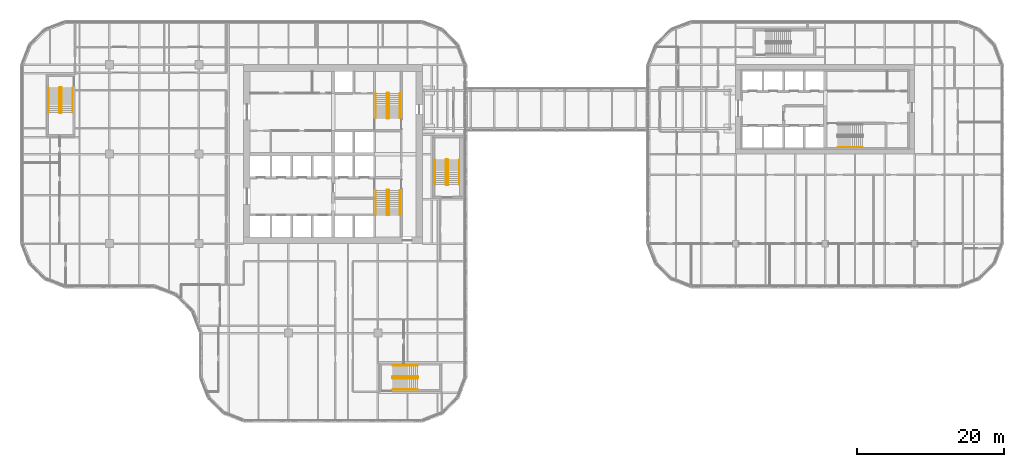
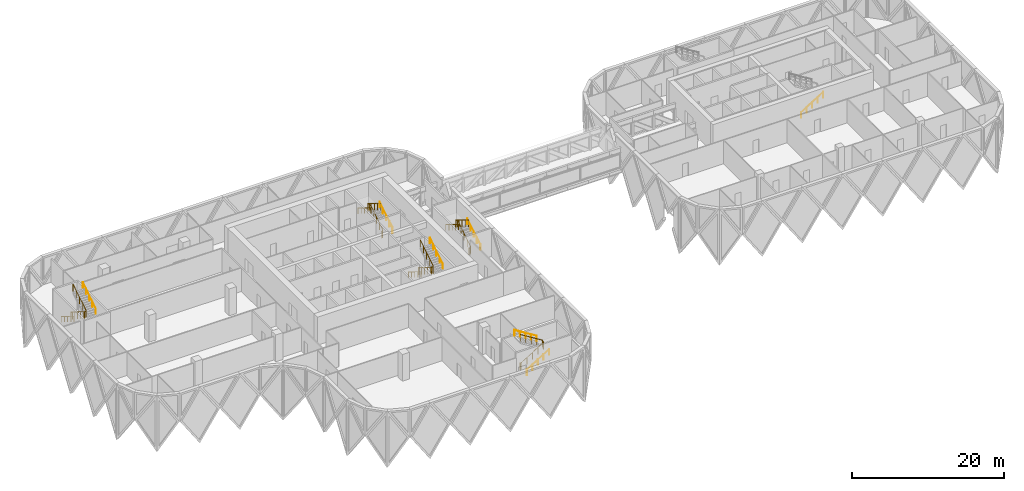
# One storey, part 29 of 30: 16 railings.
"""IFC4 building model written with IfcOpenShell, lengths in metres."""

from ifc_helpers import new_model, si_unit, direction, frame, origin, origin_2d, place, context, subcontext, project, spatial, circle, extrude, material, type_object, element, save


model = new_model("IFC4")

# Units and contexts
model_context = context("Model", 3, precision=1e-05, world=origin(), true_north=direction((0.0, 1.0)))
body_context = subcontext(model_context, "Body", "Model", "MODEL_VIEW")
ifc_project = project(units=[si_unit("LENGTHUNIT", "METRE"), si_unit("AREAUNIT", "SQUARE_METRE"), si_unit("VOLUMEUNIT", "CUBIC_METRE"), si_unit("PLANEANGLEUNIT", "RADIAN"), si_unit("MASSUNIT", "GRAM", prefix="KILO")], contexts=[model_context])

# Site, building, storey
site_placement = place(None, origin())
site = spatial("IfcSite", under=ifc_project, at=site_placement, CompositionType="ELEMENT")
building_placement = place(site_placement, origin())
building = spatial("IfcBuilding", under=site, at=building_placement, Name="Tessera Gate Towers", CompositionType="ELEMENT")
storey_placement = place(building_placement, frame((0.0, 0.0, 21.300048828125)))
storey = spatial("IfcBuildingStorey", under=building, at=storey_placement, Name="L04", CompositionType="ELEMENT", Elevation=21.300048828125)

# Railings
ifc_material_1 = material(Name="Steel 350W", Category="steel")
railing_type_1 = type_object("IfcRailingType", Name="STAIR GUARD 1100", PredefinedType="GUARDRAIL", material=ifc_material_1)
railing_1_placement = place(storey_placement, frame((50.27490234375, 31.72509765625, 0.0)))
element("IfcRailing", 1, at=railing_1_placement, inside=storey, type_object=railing_type_1, Name="L04 ST1 stair guard 1", PredefinedType="GUARDRAIL", context=body_context, shape_type="SweptSolid", body=[
    extrude(circle(Radius=0.02392578125, at=origin_2d()), frame((0.0, 0.0, 1.076171875), z_axis=(-1.0, 0.0, 0.0), x_axis=(0.0, -1.0, 0.0)), (0.0, 0.0, 1.0), 0.199951171875),
    extrude(circle(Radius=0.02392578125, at=origin_2d()), frame((-0.199951171875, 0.0, 1.076171875), z_axis=(-0.267629722418, -0.267629722418, 0.925607186314), x_axis=(0.707106781187, -0.707106781187, 0.0)), (0.0, 0.0, 1.0), 0.18701171875),
    extrude(circle(Radius=0.02392578125, at=origin_2d()), frame((-0.25, -0.050048828125, 1.2490234375), z_axis=(0.0, -0.850623216509, 0.525775754039), x_axis=(1.0, 0.0, 0.0)), (0.0, 0.0, 1.0), 3.9501953125),
    extrude(circle(Radius=0.02392578125, at=origin_2d()), frame((-0.25, -3.41015625, 3.326171875), z_axis=(0.707106781187, -0.707106781187, 0.0), x_axis=(0.707106781187, 0.707106781187, 0.0)), (0.0, 0.0, 1.0), 0.07080078125),
    extrude(circle(Radius=0.02392578125, at=origin_2d()), frame((-0.199951171875, -3.460205078125, 3.326171875), z_axis=(1.0, 0.0, 0.0), x_axis=(0.0, 1.0, 0.0)), (0.0, 0.0, 1.0), 0.199951171875),
    extrude(circle(Radius=0.02392578125, at=origin_2d()), frame((0.0, -3.460205078125, 3.326171875), z_axis=(0.267629722418, 0.267629722418, 0.925607186314), x_axis=(-0.707106781187, 0.707106781187, 0.0)), (0.0, 0.0, 1.0), 0.18701171875),
    extrude(circle(Radius=0.02392578125, at=origin_2d()), frame((0.050048828125, -3.41015625, 3.4990234375), z_axis=(0.0, 0.850623216509, 0.525775754039), x_axis=(-1.0, 0.0, 0.0)), (0.0, 0.0, 1.0), 3.9501953125),
    extrude(circle(Radius=0.02099609375, at=origin_2d()), origin(), (0.0, 0.0, 1.0), 1.052001953125),
    extrude(circle(Radius=0.02099609375, at=origin_2d()), frame((-0.199951171875, 0.0, 0.0)), (0.0, 0.0, 1.0), 1.052001953125),
    extrude(circle(Radius=0.02099609375, at=origin_2d()), frame((-0.25, -0.050048828125, 0.173095703125)), (0.0, 0.0, 1.0), 1.052001953125),
    extrude(circle(Radius=0.02099609375, at=origin_2d()), frame((-0.25, -0.89013671875, 0.6923828125)), (0.0, 0.0, 1.0), 1.052001953125),
    extrude(circle(Radius=0.02099609375, at=origin_2d()), frame((-0.25, -1.72998046875, 1.21142578125)), (0.0, 0.0, 1.0), 1.052001953125),
    extrude(circle(Radius=0.02099609375, at=origin_2d()), frame((-0.25, -2.570068359375, 1.730712890625)), (0.0, 0.0, 1.0), 1.052001953125),
    extrude(circle(Radius=0.02099609375, at=origin_2d()), frame((-0.25, -3.41015625, 2.25)), (0.0, 0.0, 1.0), 1.052001953125),
    extrude(circle(Radius=0.02099609375, at=origin_2d()), frame((-0.199951171875, -3.460205078125, 2.25)), (0.0, 0.0, 1.0), 1.052001953125),
    extrude(circle(Radius=0.02099609375, at=origin_2d()), frame((0.0, -3.460205078125, 2.25)), (0.0, 0.0, 1.0), 1.052001953125),
    extrude(circle(Radius=0.02099609375, at=origin_2d()), frame((0.050048828125, -3.41015625, 2.423095703125)), (0.0, 0.0, 1.0), 1.052001953125),
    extrude(circle(Radius=0.02099609375, at=origin_2d()), frame((0.050048828125, -2.570068359375, 2.9423828125)), (0.0, 0.0, 1.0), 1.052001953125),
    extrude(circle(Radius=0.02099609375, at=origin_2d()), frame((0.050048828125, -1.72998046875, 3.46142578125)), (0.0, 0.0, 1.0), 1.052001953125),
    extrude(circle(Radius=0.02099609375, at=origin_2d()), frame((0.050048828125, -0.89013671875, 3.980712890625)), (0.0, 0.0, 1.0), 1.052001953125),
    extrude(circle(Radius=0.02099609375, at=origin_2d()), frame((0.050048828125, -0.050048828125, 4.5)), (0.0, 0.0, 1.0), 1.052001953125),
])
railing_2_placement = place(storey_placement, frame((50.074951171875, 41.47509765625, 0.0)))
element("IfcRailing", 2, at=railing_2_placement, inside=storey, type_object=railing_type_1, Name="L04 ST2 stair guard 1", PredefinedType="GUARDRAIL", context=body_context, shape_type="SweptSolid", body=[
    extrude(circle(Radius=0.02392578125, at=origin_2d()), frame((0.0, 0.0, 1.076171875), z_axis=(1.0, 0.0, 0.0), x_axis=(0.0, 1.0, 0.0)), (0.0, 0.0, 1.0), 0.199951171875),
    extrude(circle(Radius=0.02392578125, at=origin_2d()), frame((0.199951171875, 0.0, 1.076171875), z_axis=(0.267723051232, 0.266417085129, 0.925929967433), x_axis=(-0.705375805398, 0.708833529934, 0.0)), (0.0, 0.0, 1.0), 0.18701171875),
    extrude(circle(Radius=0.02392578125, at=origin_2d()), frame((0.25, 0.0498046875, 1.2490234375), z_axis=(0.0, 0.850623216509, 0.525775754039), x_axis=(-1.0, 0.0, 0.0)), (0.0, 0.0, 1.0), 3.9501953125),
    extrude(circle(Radius=0.02392578125, at=origin_2d()), frame((0.25, 3.409912109375, 3.326171875), z_axis=(-0.707106781187, 0.707106781187, 0.0), x_axis=(-0.707106781187, -0.707106781187, 0.0)), (0.0, 0.0, 1.0), 0.07080078125),
    extrude(circle(Radius=0.02392578125, at=origin_2d()), frame((0.199951171875, 3.4599609375, 3.326171875), z_axis=(-1.0, 0.0, 0.0), x_axis=(0.0, -1.0, 0.0)), (0.0, 0.0, 1.0), 0.199951171875),
    extrude(circle(Radius=0.02392578125, at=origin_2d()), frame((0.0, 3.4599609375, 3.326171875), z_axis=(-0.267629722418, -0.267629722418, 0.925607186314), x_axis=(0.707106781187, -0.707106781187, 0.0)), (0.0, 0.0, 1.0), 0.18701171875),
    extrude(circle(Radius=0.02392578125, at=origin_2d()), frame((-0.050048828125, 3.409912109375, 3.4990234375), z_axis=(0.0, -0.850623216509, 0.525775754039), x_axis=(1.0, 0.0, 0.0)), (0.0, 0.0, 1.0), 3.9501953125),
    extrude(circle(Radius=0.02099609375, at=origin_2d()), origin(), (0.0, 0.0, 1.0), 1.052001953125),
    extrude(circle(Radius=0.02099609375, at=origin_2d()), frame((0.199951171875, 0.0, 0.0)), (0.0, 0.0, 1.0), 1.052001953125),
    extrude(circle(Radius=0.02099609375, at=origin_2d()), frame((0.25, 0.0498046875, 0.173095703125)), (0.0, 0.0, 1.0), 1.052001953125),
    extrude(circle(Radius=0.02099609375, at=origin_2d()), frame((0.25, 0.889892578125, 0.6923828125)), (0.0, 0.0, 1.0), 1.052001953125),
    extrude(circle(Radius=0.02099609375, at=origin_2d()), frame((0.25, 1.72998046875, 1.21142578125)), (0.0, 0.0, 1.0), 1.052001953125),
    extrude(circle(Radius=0.02099609375, at=origin_2d()), frame((0.25, 2.56982421875, 1.730712890625)), (0.0, 0.0, 1.0), 1.052001953125),
    extrude(circle(Radius=0.02099609375, at=origin_2d()), frame((0.25, 3.409912109375, 2.25)), (0.0, 0.0, 1.0), 1.052001953125),
    extrude(circle(Radius=0.02099609375, at=origin_2d()), frame((0.199951171875, 3.4599609375, 2.25)), (0.0, 0.0, 1.0), 1.052001953125),
    extrude(circle(Radius=0.02099609375, at=origin_2d()), frame((0.0, 3.4599609375, 2.25)), (0.0, 0.0, 1.0), 1.052001953125),
    extrude(circle(Radius=0.02099609375, at=origin_2d()), frame((-0.050048828125, 3.409912109375, 2.423095703125)), (0.0, 0.0, 1.0), 1.052001953125),
    extrude(circle(Radius=0.02099609375, at=origin_2d()), frame((-0.050048828125, 2.56982421875, 2.9423828125)), (0.0, 0.0, 1.0), 1.052001953125),
    extrude(circle(Radius=0.02099609375, at=origin_2d()), frame((-0.050048828125, 1.72998046875, 3.46142578125)), (0.0, 0.0, 1.0), 1.052001953125),
    extrude(circle(Radius=0.02099609375, at=origin_2d()), frame((-0.050048828125, 0.889892578125, 3.980712890625)), (0.0, 0.0, 1.0), 1.052001953125),
    extrude(circle(Radius=0.02099609375, at=origin_2d()), frame((-0.050048828125, 0.0498046875, 4.5)), (0.0, 0.0, 1.0), 1.052001953125),
])
railing_3_placement = place(storey_placement, frame((5.64990234375, 45.699951171875, 0.0)))
element("IfcRailing", 3, at=railing_3_placement, inside=storey, type_object=railing_type_1, Name="L04 ST3 stair guard 1", PredefinedType="GUARDRAIL", context=body_context, shape_type="SweptSolid", body=[
    extrude(circle(Radius=0.02392578125, at=origin_2d()), frame((0.0, 0.0, 1.076171875), z_axis=(-1.0, 0.0, 0.0), x_axis=(0.0, -1.0, 0.0)), (0.0, 0.0, 1.0), 0.199951171875),
    extrude(circle(Radius=0.02392578125, at=origin_2d()), frame((-0.199951171875, 0.0, 1.076171875), z_axis=(-0.267629722418, -0.267629722418, 0.925607186314), x_axis=(0.707106781187, -0.707106781187, 0.0)), (0.0, 0.0, 1.0), 0.18701171875),
    extrude(circle(Radius=0.02392578125, at=origin_2d()), frame((-0.25, -0.050048828125, 1.2490234375), z_axis=(0.0, -0.850606129759, 0.525803396734), x_axis=(1.0, 0.0, 0.0)), (0.0, 0.0, 1.0), 3.949951171875),
    extrude(circle(Radius=0.02392578125, at=origin_2d()), frame((-0.25, -3.409912109375, 3.326171875), z_axis=(0.707106781187, -0.707106781187, 0.0), x_axis=(0.707106781187, 0.707106781187, 0.0)), (0.0, 0.0, 1.0), 0.07080078125),
    extrude(circle(Radius=0.02392578125, at=origin_2d()), frame((-0.199951171875, -3.4599609375, 3.326171875), z_axis=(1.0, 0.0, 0.0), x_axis=(0.0, 1.0, 0.0)), (0.0, 0.0, 1.0), 0.199951171875),
    extrude(circle(Radius=0.02392578125, at=origin_2d()), frame((0.0, -3.4599609375, 3.326171875), z_axis=(0.267629722418, 0.267629722418, 0.925607186314), x_axis=(-0.707106781187, 0.707106781187, 0.0)), (0.0, 0.0, 1.0), 0.18701171875),
    extrude(circle(Radius=0.02392578125, at=origin_2d()), frame((0.050048828125, -3.409912109375, 3.4990234375), z_axis=(0.0, 0.850606129759, 0.525803396734), x_axis=(-1.0, 0.0, 0.0)), (0.0, 0.0, 1.0), 3.949951171875),
    extrude(circle(Radius=0.02099609375, at=origin_2d()), origin(), (0.0, 0.0, 1.0), 1.052001953125),
    extrude(circle(Radius=0.02099609375, at=origin_2d()), frame((-0.199951171875, 0.0, 0.0)), (0.0, 0.0, 1.0), 1.052001953125),
    extrude(circle(Radius=0.02099609375, at=origin_2d()), frame((-0.25, -0.050048828125, 0.173095703125)), (0.0, 0.0, 1.0), 1.052001953125),
    extrude(circle(Radius=0.02099609375, at=origin_2d()), frame((-0.25, -0.89013671875, 0.6923828125)), (0.0, 0.0, 1.0), 1.052001953125),
    extrude(circle(Radius=0.02099609375, at=origin_2d()), frame((-0.25, -1.72998046875, 1.21142578125)), (0.0, 0.0, 1.0), 1.052001953125),
    extrude(circle(Radius=0.02099609375, at=origin_2d()), frame((-0.25, -2.56982421875, 1.730712890625)), (0.0, 0.0, 1.0), 1.052001953125),
    extrude(circle(Radius=0.02099609375, at=origin_2d()), frame((-0.25, -3.409912109375, 2.25)), (0.0, 0.0, 1.0), 1.052001953125),
    extrude(circle(Radius=0.02099609375, at=origin_2d()), frame((-0.199951171875, -3.4599609375, 2.25)), (0.0, 0.0, 1.0), 1.052001953125),
    extrude(circle(Radius=0.02099609375, at=origin_2d()), frame((0.0, -3.4599609375, 2.25)), (0.0, 0.0, 1.0), 1.052001953125),
    extrude(circle(Radius=0.02099609375, at=origin_2d()), frame((0.050048828125, -3.409912109375, 2.423095703125)), (0.0, 0.0, 1.0), 1.052001953125),
    extrude(circle(Radius=0.02099609375, at=origin_2d()), frame((0.050048828125, -2.56982421875, 2.9423828125)), (0.0, 0.0, 1.0), 1.052001953125),
    extrude(circle(Radius=0.02099609375, at=origin_2d()), frame((0.050048828125, -1.72998046875, 3.46142578125)), (0.0, 0.0, 1.0), 1.052001953125),
    extrude(circle(Radius=0.02099609375, at=origin_2d()), frame((0.050048828125, -0.89013671875, 3.980712890625)), (0.0, 0.0, 1.0), 1.052001953125),
    extrude(circle(Radius=0.02099609375, at=origin_2d()), frame((0.050048828125, -0.050048828125, 4.5)), (0.0, 0.0, 1.0), 1.052001953125),
])
railing_4_placement = place(storey_placement, frame((50.800048828125, 6.25, 0.0)))
element("IfcRailing", 4, at=railing_4_placement, inside=storey, type_object=railing_type_1, Name="L04 ST4 stair guard 1", PredefinedType="GUARDRAIL", context=body_context, shape_type="SweptSolid", body=[
    extrude(circle(Radius=0.02392578125, at=origin_2d()), frame((0.0, 0.0, 1.076171875), z_axis=(0.0, -1.0, 0.0), x_axis=(1.0, 0.0, 0.0)), (0.0, 0.0, 1.0), 0.199951171875),
    extrude(circle(Radius=0.02392578125, at=origin_2d()), frame((0.0, -0.199951171875, 1.076171875), z_axis=(0.267629722418, -0.267629722418, 0.925607186314), x_axis=(0.707106781187, 0.707106781187, 0.0)), (0.0, 0.0, 1.0), 0.18701171875),
    extrude(circle(Radius=0.02392578125, at=origin_2d()), frame((0.050048828125, -0.25, 1.2490234375), z_axis=(0.850606129759, 0.0, 0.525803396734), x_axis=(0.0, 1.0, 0.0)), (0.0, 0.0, 1.0), 3.949951171875),
    extrude(circle(Radius=0.02392578125, at=origin_2d()), frame((3.409912109375, -0.25, 3.326171875), z_axis=(0.707106781187, 0.707106781187, 0.0), x_axis=(-0.707106781187, 0.707106781187, 0.0)), (0.0, 0.0, 1.0), 0.07080078125),
    extrude(circle(Radius=0.02392578125, at=origin_2d()), frame((3.4599609375, -0.199951171875, 3.326171875), z_axis=(0.0, 1.0, 0.0), x_axis=(-1.0, 0.0, 0.0)), (0.0, 0.0, 1.0), 0.199951171875),
    extrude(circle(Radius=0.02392578125, at=origin_2d()), frame((3.4599609375, 0.0, 3.326171875), z_axis=(-0.267629722418, 0.267629722418, 0.925607186314), x_axis=(-0.707106781187, -0.707106781187, 0.0)), (0.0, 0.0, 1.0), 0.18701171875),
    extrude(circle(Radius=0.02392578125, at=origin_2d()), frame((3.409912109375, 0.050048828125, 3.4990234375), z_axis=(-0.850606129759, 0.0, 0.525803396734), x_axis=(0.0, -1.0, 0.0)), (0.0, 0.0, 1.0), 3.949951171875),
    extrude(circle(Radius=0.02099609375, at=origin_2d()), origin(), (0.0, 0.0, 1.0), 1.052001953125),
    extrude(circle(Radius=0.02099609375, at=origin_2d()), frame((0.0, -0.199951171875, 0.0)), (0.0, 0.0, 1.0), 1.052001953125),
    extrude(circle(Radius=0.02099609375, at=origin_2d()), frame((0.050048828125, -0.25, 0.173095703125)), (0.0, 0.0, 1.0), 1.052001953125),
    extrude(circle(Radius=0.02099609375, at=origin_2d()), frame((0.89013671875, -0.25, 0.6923828125)), (0.0, 0.0, 1.0), 1.052001953125),
    extrude(circle(Radius=0.02099609375, at=origin_2d()), frame((1.72998046875, -0.25, 1.21142578125)), (0.0, 0.0, 1.0), 1.052001953125),
    extrude(circle(Radius=0.02099609375, at=origin_2d()), frame((2.56982421875, -0.25, 1.730712890625)), (0.0, 0.0, 1.0), 1.052001953125),
    extrude(circle(Radius=0.02099609375, at=origin_2d()), frame((3.409912109375, -0.25, 2.25)), (0.0, 0.0, 1.0), 1.052001953125),
    extrude(circle(Radius=0.02099609375, at=origin_2d()), frame((3.4599609375, -0.199951171875, 2.25)), (0.0, 0.0, 1.0), 1.052001953125),
    extrude(circle(Radius=0.02099609375, at=origin_2d()), frame((3.4599609375, 0.0, 2.25)), (0.0, 0.0, 1.0), 1.052001953125),
    extrude(circle(Radius=0.02099609375, at=origin_2d()), frame((3.409912109375, 0.050048828125, 2.423095703125)), (0.0, 0.0, 1.0), 1.052001953125),
    extrude(circle(Radius=0.02099609375, at=origin_2d()), frame((2.56982421875, 0.050048828125, 2.9423828125)), (0.0, 0.0, 1.0), 1.052001953125),
    extrude(circle(Radius=0.02099609375, at=origin_2d()), frame((1.72998046875, 0.050048828125, 3.46142578125)), (0.0, 0.0, 1.0), 1.052001953125),
    extrude(circle(Radius=0.02099609375, at=origin_2d()), frame((0.89013671875, 0.050048828125, 3.980712890625)), (0.0, 0.0, 1.0), 1.052001953125),
    extrude(circle(Radius=0.02099609375, at=origin_2d()), frame((0.050048828125, 0.050048828125, 4.5)), (0.0, 0.0, 1.0), 1.052001953125),
])
railing_5_placement = place(storey_placement, frame((58.14990234375, 32.39990234375, 0.0)))
element("IfcRailing", 5, at=railing_5_placement, inside=storey, type_object=railing_type_1, Name="L04 ST5 stair guard 1", PredefinedType="GUARDRAIL", context=body_context, shape_type="SweptSolid", body=[
    extrude(circle(Radius=0.02392578125, at=origin_2d()), frame((0.0, 0.0, 1.076171875), z_axis=(1.0, 0.0, 0.0), x_axis=(0.0, 1.0, 0.0)), (0.0, 0.0, 1.0), 0.2001953125),
    extrude(circle(Radius=0.02392578125, at=origin_2d()), frame((0.2001953125, 0.0, 1.076171875), z_axis=(0.266417085129, 0.267723051232, 0.925929967433), x_axis=(-0.708833529934, 0.705375805398, 0.0)), (0.0, 0.0, 1.0), 0.18701171875),
    extrude(circle(Radius=0.02392578125, at=origin_2d()), frame((0.25, 0.050048828125, 1.2490234375), z_axis=(0.0, 0.850623216509, 0.525775754039), x_axis=(-1.0, 0.0, 0.0)), (0.0, 0.0, 1.0), 3.9501953125),
    extrude(circle(Radius=0.02392578125, at=origin_2d()), frame((0.25, 3.41015625, 3.326171875), z_axis=(-0.705375805398, 0.708833529934, 0.0), x_axis=(-0.708833529934, -0.705375805398, 0.0)), (0.0, 0.0, 1.0), 0.070556640625),
    extrude(circle(Radius=0.02392578125, at=origin_2d()), frame((0.2001953125, 3.460205078125, 3.326171875), z_axis=(-1.0, 0.0, 0.0), x_axis=(0.0, -1.0, 0.0)), (0.0, 0.0, 1.0), 0.2001953125),
    extrude(circle(Radius=0.02392578125, at=origin_2d()), frame((0.0, 3.460205078125, 3.326171875), z_axis=(-0.266417085129, -0.267723051232, 0.925929967433), x_axis=(0.708833529934, -0.705375805398, 0.0)), (0.0, 0.0, 1.0), 0.18701171875),
    extrude(circle(Radius=0.02392578125, at=origin_2d()), frame((-0.0498046875, 3.41015625, 3.4990234375), z_axis=(0.0, -0.850623216509, 0.525775754039), x_axis=(1.0, 0.0, 0.0)), (0.0, 0.0, 1.0), 3.9501953125),
    extrude(circle(Radius=0.02099609375, at=origin_2d()), origin(), (0.0, 0.0, 1.0), 1.052001953125),
    extrude(circle(Radius=0.02099609375, at=origin_2d()), frame((0.2001953125, 0.0, 0.0)), (0.0, 0.0, 1.0), 1.052001953125),
    extrude(circle(Radius=0.02099609375, at=origin_2d()), frame((0.25, 0.050048828125, 0.173095703125)), (0.0, 0.0, 1.0), 1.052001953125),
    extrude(circle(Radius=0.02099609375, at=origin_2d()), frame((0.25, 0.89013671875, 0.6923828125)), (0.0, 0.0, 1.0), 1.052001953125),
    extrude(circle(Radius=0.02099609375, at=origin_2d()), frame((0.25, 1.72998046875, 1.21142578125)), (0.0, 0.0, 1.0), 1.052001953125),
    extrude(circle(Radius=0.02099609375, at=origin_2d()), frame((0.25, 2.570068359375, 1.730712890625)), (0.0, 0.0, 1.0), 1.052001953125),
    extrude(circle(Radius=0.02099609375, at=origin_2d()), frame((0.25, 3.41015625, 2.25)), (0.0, 0.0, 1.0), 1.052001953125),
    extrude(circle(Radius=0.02099609375, at=origin_2d()), frame((0.2001953125, 3.460205078125, 2.25)), (0.0, 0.0, 1.0), 1.052001953125),
    extrude(circle(Radius=0.02099609375, at=origin_2d()), frame((0.0, 3.460205078125, 2.25)), (0.0, 0.0, 1.0), 1.052001953125),
    extrude(circle(Radius=0.02099609375, at=origin_2d()), frame((-0.0498046875, 3.41015625, 2.423095703125)), (0.0, 0.0, 1.0), 1.052001953125),
    extrude(circle(Radius=0.02099609375, at=origin_2d()), frame((-0.0498046875, 2.570068359375, 2.9423828125)), (0.0, 0.0, 1.0), 1.052001953125),
    extrude(circle(Radius=0.02099609375, at=origin_2d()), frame((-0.0498046875, 1.72998046875, 3.46142578125)), (0.0, 0.0, 1.0), 1.052001953125),
    extrude(circle(Radius=0.02099609375, at=origin_2d()), frame((-0.0498046875, 0.89013671875, 3.980712890625)), (0.0, 0.0, 1.0), 1.052001953125),
    extrude(circle(Radius=0.02099609375, at=origin_2d()), frame((-0.0498046875, 0.050048828125, 4.5)), (0.0, 0.0, 1.0), 1.052001953125),
])
ifc_material_2 = material(Name="Steel 350W", Category="steel")
railing_type_2 = type_object("IfcRailingType", Name="STAIR HANDRAIL 900", PredefinedType="HANDRAIL", material=ifc_material_2)
railing_6_placement = place(storey_placement, frame((48.52490234375, 31.675048828125, 0.173095703125)))
element("IfcRailing", 6, at=railing_6_placement, inside=storey, type_object=railing_type_2, Name="L04 ST1 stair handrail 1", PredefinedType="HANDRAIL", context=body_context, shape_type="SweptSolid", body=[
    extrude(circle(Radius=0.02392578125, at=origin_2d()), frame((0.0, 0.0, 0.8759765625), z_axis=(0.0, -0.850623216509, 0.525775754039), x_axis=(1.0, 0.0, 0.0)), (0.0, 0.0, 1.0), 3.9501953125),
    extrude(circle(Radius=0.02099609375, at=origin_2d()), origin(), (0.0, 0.0, 1.0), 0.851806640625),
    extrude(circle(Radius=0.02099609375, at=origin_2d()), frame((0.0, -0.840087890625, 0.519287109375)), (0.0, 0.0, 1.0), 0.851806640625),
    extrude(circle(Radius=0.02099609375, at=origin_2d()), frame((0.0, -1.68017578125, 1.03857421875)), (0.0, 0.0, 1.0), 0.851806640625),
    extrude(circle(Radius=0.02099609375, at=origin_2d()), frame((0.0, -2.52001953125, 1.5576171875)), (0.0, 0.0, 1.0), 0.851806640625),
    extrude(circle(Radius=0.02099609375, at=origin_2d()), frame((0.0, -3.360107421875, 2.076904296875)), (0.0, 0.0, 1.0), 0.851806640625),
])
for number, where, name in (
    (7, (51.824951171875, 28.31494140625, 2.423095703125), "L04 ST1 stair handrail 2"),
    (8, (51.824951171875, 41.52490234375, 0.173095703125), "L04 ST2 stair handrail 1"),
):
    element("IfcRailing", number, at=place(storey_placement, frame(where)), inside=storey, type_object=railing_type_2, Name=name, PredefinedType="HANDRAIL", context=body_context, shape_type="SweptSolid", body=[
        extrude(circle(Radius=0.02392578125, at=origin_2d()), frame((0.0, 0.0, 0.8759765625), z_axis=(0.0, 0.850623216509, 0.525775754039), x_axis=(-1.0, 0.0, 0.0)), (0.0, 0.0, 1.0), 3.9501953125),
        extrude(circle(Radius=0.02099609375, at=origin_2d()), origin(), (0.0, 0.0, 1.0), 0.851806640625),
        extrude(circle(Radius=0.02099609375, at=origin_2d()), frame((0.0, 0.840087890625, 0.519287109375)), (0.0, 0.0, 1.0), 0.851806640625),
        extrude(circle(Radius=0.02099609375, at=origin_2d()), frame((0.0, 1.68017578125, 1.03857421875)), (0.0, 0.0, 1.0), 0.851806640625),
        extrude(circle(Radius=0.02099609375, at=origin_2d()), frame((0.0, 2.52001953125, 1.5576171875)), (0.0, 0.0, 1.0), 0.851806640625),
        extrude(circle(Radius=0.02099609375, at=origin_2d()), frame((0.0, 3.360107421875, 2.076904296875)), (0.0, 0.0, 1.0), 0.851806640625),
    ])
railing_7_placement = place(storey_placement, frame((48.52490234375, 44.885009765625, 2.423095703125)))
element("IfcRailing", 9, at=railing_7_placement, inside=storey, type_object=railing_type_2, Name="L04 ST2 stair handrail 2", PredefinedType="HANDRAIL", context=body_context, shape_type="SweptSolid", body=[
    extrude(circle(Radius=0.02392578125, at=origin_2d()), frame((0.0, 0.0, 0.8759765625), z_axis=(0.0, -0.850623216509, 0.525775754039), x_axis=(1.0, 0.0, 0.0)), (0.0, 0.0, 1.0), 3.9501953125),
    extrude(circle(Radius=0.02099609375, at=origin_2d()), origin(), (0.0, 0.0, 1.0), 0.851806640625),
    extrude(circle(Radius=0.02099609375, at=origin_2d()), frame((0.0, -0.840087890625, 0.519287109375)), (0.0, 0.0, 1.0), 0.851806640625),
    extrude(circle(Radius=0.02099609375, at=origin_2d()), frame((0.0, -1.68017578125, 1.03857421875)), (0.0, 0.0, 1.0), 0.851806640625),
    extrude(circle(Radius=0.02099609375, at=origin_2d()), frame((0.0, -2.52001953125, 1.5576171875)), (0.0, 0.0, 1.0), 0.851806640625),
    extrude(circle(Radius=0.02099609375, at=origin_2d()), frame((0.0, -3.360107421875, 2.076904296875)), (0.0, 0.0, 1.0), 0.851806640625),
])
railing_8_placement = place(storey_placement, frame((3.89990234375, 45.64990234375, 0.173095703125)))
element("IfcRailing", 10, at=railing_8_placement, inside=storey, type_object=railing_type_2, Name="L04 ST3 stair handrail 1", PredefinedType="HANDRAIL", context=body_context, shape_type="SweptSolid", body=[
    extrude(circle(Radius=0.02392578125, at=origin_2d()), frame((0.0, 0.0, 0.8759765625), z_axis=(0.0, -0.850606129759, 0.525803396734), x_axis=(1.0, 0.0, 0.0)), (0.0, 0.0, 1.0), 3.949951171875),
    extrude(circle(Radius=0.02099609375, at=origin_2d()), origin(), (0.0, 0.0, 1.0), 0.851806640625),
    extrude(circle(Radius=0.02099609375, at=origin_2d()), frame((0.0, -0.83984375, 0.519287109375)), (0.0, 0.0, 1.0), 0.851806640625),
    extrude(circle(Radius=0.02099609375, at=origin_2d()), frame((0.0, -1.679931640625, 1.03857421875)), (0.0, 0.0, 1.0), 0.851806640625),
    extrude(circle(Radius=0.02099609375, at=origin_2d()), frame((0.0, -2.52001953125, 1.5576171875)), (0.0, 0.0, 1.0), 0.851806640625),
    extrude(circle(Radius=0.02099609375, at=origin_2d()), frame((0.0, -3.35986328125, 2.076904296875)), (0.0, 0.0, 1.0), 0.851806640625),
])
railing_9_placement = place(storey_placement, frame((7.199951171875, 42.2900390625, 2.423095703125)))
element("IfcRailing", 11, at=railing_9_placement, inside=storey, type_object=railing_type_2, Name="L04 ST3 stair handrail 2", PredefinedType="HANDRAIL", context=body_context, shape_type="SweptSolid", body=[
    extrude(circle(Radius=0.02392578125, at=origin_2d()), frame((0.0, 0.0, 0.8759765625), z_axis=(0.0, 0.850606129759, 0.525803396734), x_axis=(-1.0, 0.0, 0.0)), (0.0, 0.0, 1.0), 3.949951171875),
    extrude(circle(Radius=0.02099609375, at=origin_2d()), origin(), (0.0, 0.0, 1.0), 0.851806640625),
    extrude(circle(Radius=0.02099609375, at=origin_2d()), frame((0.0, 0.83984375, 0.519287109375)), (0.0, 0.0, 1.0), 0.851806640625),
    extrude(circle(Radius=0.02099609375, at=origin_2d()), frame((0.0, 1.679931640625, 1.03857421875)), (0.0, 0.0, 1.0), 0.851806640625),
    extrude(circle(Radius=0.02099609375, at=origin_2d()), frame((0.0, 2.52001953125, 1.5576171875)), (0.0, 0.0, 1.0), 0.851806640625),
    extrude(circle(Radius=0.02099609375, at=origin_2d()), frame((0.0, 3.35986328125, 2.076904296875)), (0.0, 0.0, 1.0), 0.851806640625),
])
railing_10_placement = place(storey_placement, frame((50.85009765625, 4.5, 0.173095703125)))
element("IfcRailing", 12, at=railing_10_placement, inside=storey, type_object=railing_type_2, Name="L04 ST4 stair handrail 1", PredefinedType="HANDRAIL", context=body_context, shape_type="SweptSolid", body=[
    extrude(circle(Radius=0.02392578125, at=origin_2d()), frame((0.0, 0.0, 0.8759765625), z_axis=(0.850606129759, 0.0, 0.525803396734), x_axis=(0.0, 1.0, 0.0)), (0.0, 0.0, 1.0), 3.949951171875),
    extrude(circle(Radius=0.02099609375, at=origin_2d()), origin(), (0.0, 0.0, 1.0), 0.851806640625),
    extrude(circle(Radius=0.02099609375, at=origin_2d()), frame((0.83984375, 0.0, 0.519287109375)), (0.0, 0.0, 1.0), 0.851806640625),
    extrude(circle(Radius=0.02099609375, at=origin_2d()), frame((1.679931640625, 0.0, 1.03857421875)), (0.0, 0.0, 1.0), 0.851806640625),
    extrude(circle(Radius=0.02099609375, at=origin_2d()), frame((2.52001953125, 0.0, 1.5576171875)), (0.0, 0.0, 1.0), 0.851806640625),
    extrude(circle(Radius=0.02099609375, at=origin_2d()), frame((3.35986328125, 0.0, 2.076904296875)), (0.0, 0.0, 1.0), 0.851806640625),
])
railing_11_placement = place(storey_placement, frame((54.2099609375, 7.800048828125, 2.423095703125)))
element("IfcRailing", 13, at=railing_11_placement, inside=storey, type_object=railing_type_2, Name="L04 ST4 stair handrail 2", PredefinedType="HANDRAIL", context=body_context, shape_type="SweptSolid", body=[
    extrude(circle(Radius=0.02392578125, at=origin_2d()), frame((0.0, 0.0, 0.8759765625), z_axis=(-0.850606129759, 0.0, 0.525803396734), x_axis=(0.0, -1.0, 0.0)), (0.0, 0.0, 1.0), 3.949951171875),
    extrude(circle(Radius=0.02099609375, at=origin_2d()), origin(), (0.0, 0.0, 1.0), 0.851806640625),
    extrude(circle(Radius=0.02099609375, at=origin_2d()), frame((-0.83984375, 0.0, 0.519287109375)), (0.0, 0.0, 1.0), 0.851806640625),
    extrude(circle(Radius=0.02099609375, at=origin_2d()), frame((-1.679931640625, 0.0, 1.03857421875)), (0.0, 0.0, 1.0), 0.851806640625),
    extrude(circle(Radius=0.02099609375, at=origin_2d()), frame((-2.52001953125, 0.0, 1.5576171875)), (0.0, 0.0, 1.0), 0.851806640625),
    extrude(circle(Radius=0.02099609375, at=origin_2d()), frame((-3.35986328125, 0.0, 2.076904296875)), (0.0, 0.0, 1.0), 0.851806640625),
])
railing_12_placement = place(storey_placement, frame((59.89990234375, 32.449951171875, 0.173095703125)))
element("IfcRailing", 14, at=railing_12_placement, inside=storey, type_object=railing_type_2, Name="L04 ST5 stair handrail 1", PredefinedType="HANDRAIL", context=body_context, shape_type="SweptSolid", body=[
    extrude(circle(Radius=0.02392578125, at=origin_2d()), frame((0.0, 0.0, 0.8759765625), z_axis=(0.0, 0.850623216509, 0.525775754039), x_axis=(-1.0, 0.0, 0.0)), (0.0, 0.0, 1.0), 3.9501953125),
    extrude(circle(Radius=0.02099609375, at=origin_2d()), origin(), (0.0, 0.0, 1.0), 0.851806640625),
    extrude(circle(Radius=0.02099609375, at=origin_2d()), frame((0.0, 0.840087890625, 0.519287109375)), (0.0, 0.0, 1.0), 0.851806640625),
    extrude(circle(Radius=0.02099609375, at=origin_2d()), frame((0.0, 1.68017578125, 1.03857421875)), (0.0, 0.0, 1.0), 0.851806640625),
    extrude(circle(Radius=0.02099609375, at=origin_2d()), frame((0.0, 2.52001953125, 1.5576171875)), (0.0, 0.0, 1.0), 0.851806640625),
    extrude(circle(Radius=0.02099609375, at=origin_2d()), frame((0.0, 3.360107421875, 2.076904296875)), (0.0, 0.0, 1.0), 0.851806640625),
])
railing_13_placement = place(storey_placement, frame((56.60009765625, 35.81005859375, 2.423095703125)))
element("IfcRailing", 15, at=railing_13_placement, inside=storey, type_object=railing_type_2, Name="L04 ST5 stair handrail 2", PredefinedType="HANDRAIL", context=body_context, shape_type="SweptSolid", body=[
    extrude(circle(Radius=0.02392578125, at=origin_2d()), frame((0.0, 0.0, 0.8759765625), z_axis=(0.0, -0.850623216509, 0.525775754039), x_axis=(1.0, 0.0, 0.0)), (0.0, 0.0, 1.0), 3.9501953125),
    extrude(circle(Radius=0.02099609375, at=origin_2d()), origin(), (0.0, 0.0, 1.0), 0.851806640625),
    extrude(circle(Radius=0.02099609375, at=origin_2d()), frame((0.0, -0.840087890625, 0.519287109375)), (0.0, 0.0, 1.0), 0.851806640625),
    extrude(circle(Radius=0.02099609375, at=origin_2d()), frame((0.0, -1.68017578125, 1.03857421875)), (0.0, 0.0, 1.0), 0.851806640625),
    extrude(circle(Radius=0.02099609375, at=origin_2d()), frame((0.0, -2.52001953125, 1.5576171875)), (0.0, 0.0, 1.0), 0.851806640625),
    extrude(circle(Radius=0.02099609375, at=origin_2d()), frame((0.0, -3.360107421875, 2.076904296875)), (0.0, 0.0, 1.0), 0.851806640625),
])
railing_14_placement = place(storey_placement, frame((111.550048828125, 37.550048828125, 0.173095703125)))
element("IfcRailing", 16, at=railing_14_placement, inside=storey, type_object=railing_type_2, Name="L04 ST6 stair handrail 1", PredefinedType="HANDRAIL", context=body_context, shape_type="SweptSolid", body=[
    extrude(circle(Radius=0.02392578125, at=origin_2d()), frame((0.0, 0.0, 0.8759765625), z_axis=(0.850606129759, 0.0, 0.525803396734), x_axis=(0.0, 1.0, 0.0)), (0.0, 0.0, 1.0), 3.949951171875),
    extrude(circle(Radius=0.02099609375, at=origin_2d()), origin(), (0.0, 0.0, 1.0), 0.851806640625),
    extrude(circle(Radius=0.02099609375, at=origin_2d()), frame((0.83984375, 0.0, 0.519287109375)), (0.0, 0.0, 1.0), 0.851806640625),
    extrude(circle(Radius=0.02099609375, at=origin_2d()), frame((1.679931640625, 0.0, 1.03857421875)), (0.0, 0.0, 1.0), 0.851806640625),
    extrude(circle(Radius=0.02099609375, at=origin_2d()), frame((2.52001953125, 0.0, 1.5576171875)), (0.0, 0.0, 1.0), 0.851806640625),
    extrude(circle(Radius=0.02099609375, at=origin_2d()), frame((3.35986328125, 0.0, 2.076904296875)), (0.0, 0.0, 1.0), 0.851806640625),
])

save(model, "model.ifc")
